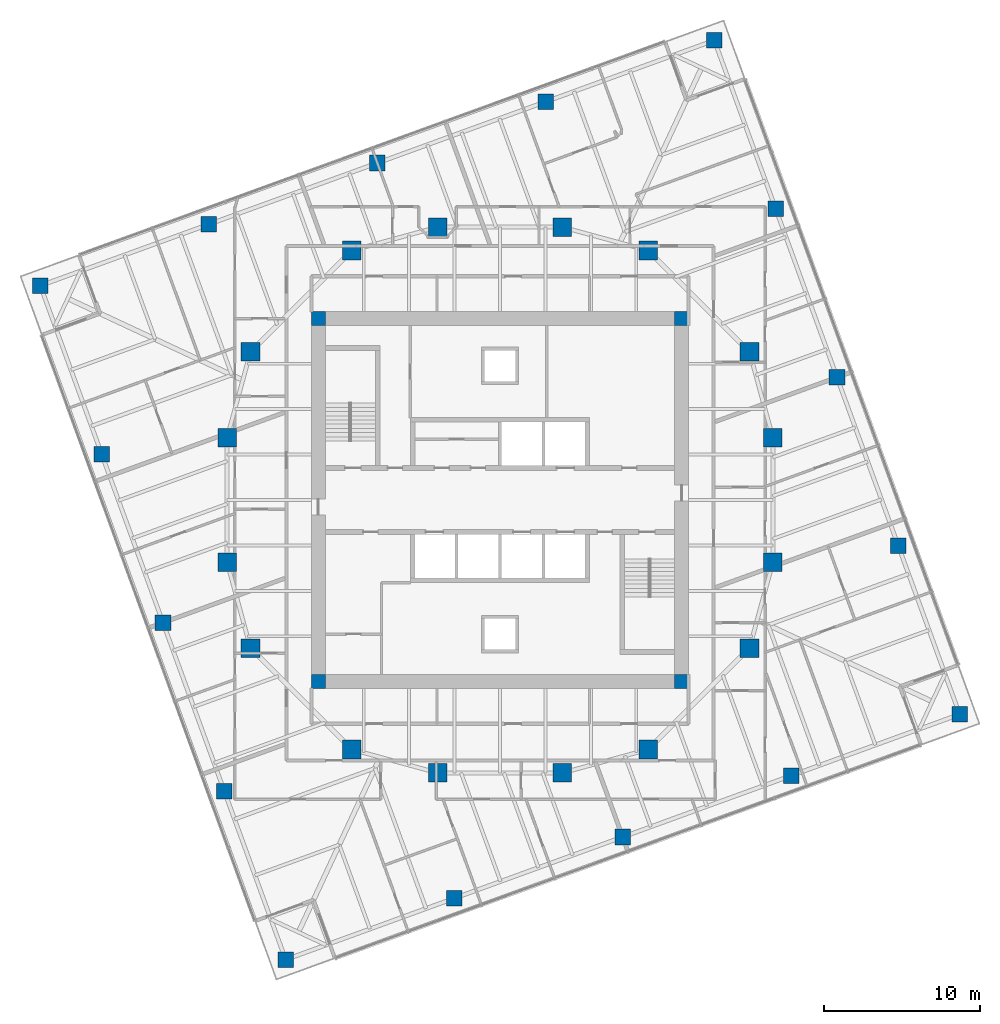
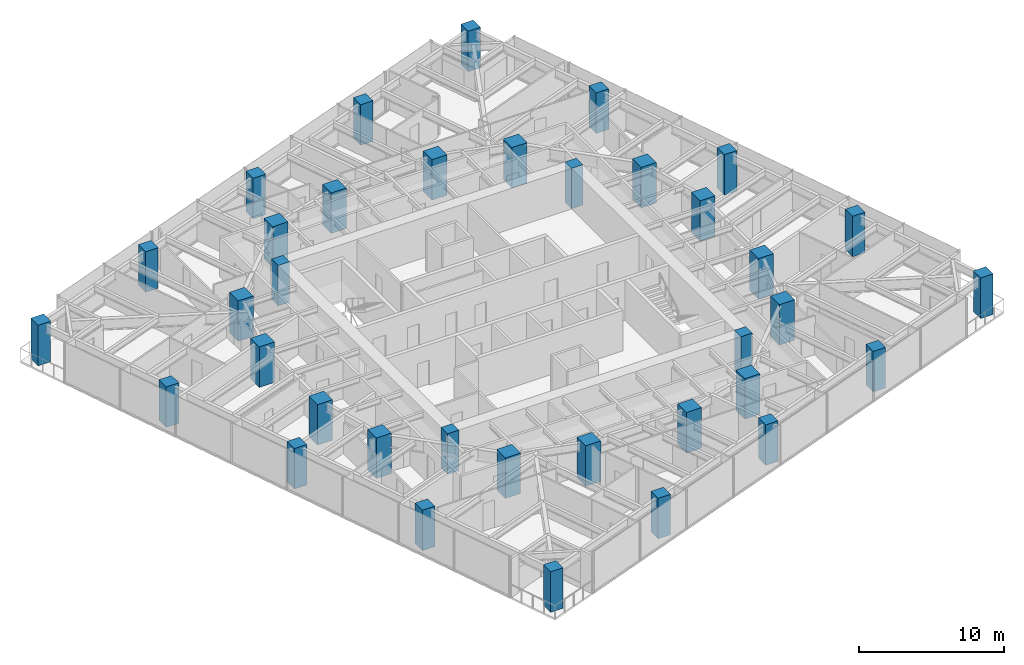
# One storey, part 1 of 13: 36 columns.
"""IFC4 building model written with IfcOpenShell, lengths in metres."""

from ifc_helpers import new_model, si_unit, direction, frame, origin, origin_2d, place, context, subcontext, project, spatial, rectangle, extrude, material, material_profile, profile_set, type_object, element, save


model = new_model("IFC4")

# Units and contexts
model_context = context("Model", 3, precision=1e-05, world=origin(), true_north=direction((0.0, 1.0)))
body_context = subcontext(model_context, "Body", "Model", "MODEL_VIEW")
ifc_project = project(units=[si_unit("LENGTHUNIT", "METRE"), si_unit("AREAUNIT", "SQUARE_METRE"), si_unit("VOLUMEUNIT", "CUBIC_METRE"), si_unit("PLANEANGLEUNIT", "RADIAN"), si_unit("MASSUNIT", "GRAM", prefix="KILO")], contexts=[model_context])

# Site, building, storey
site_placement = place(None, origin())
site = spatial("IfcSite", under=ifc_project, at=site_placement, CompositionType="ELEMENT")
building_placement = place(site_placement, origin())
building = spatial("IfcBuilding", under=site, at=building_placement, Name="Torsade Residences", CompositionType="ELEMENT")
storey_placement = place(building_placement, frame((0.0, 0.0, 150.60009765625)))
storey = spatial("IfcBuildingStorey", under=building, at=storey_placement, Name="L41", CompositionType="ELEMENT", Elevation=150.60009765625)

# Columns
ifc_material_1 = material(Name="Concrete 80 MPa", Category="concrete")
ifc_material_profile_1 = material_profile(ifc_material_1, rectangle(XDim=0.89990234375, YDim=0.89990234375, at=origin_2d()), Name="RC 900x900")
ifc_profile_set_1 = profile_set([ifc_material_profile_1], Name="Concrete 80 MPa")
column_type_1 = type_object("IfcColumnType", Name="CORE CORNER COLUMN RC 900x900", PredefinedType="COLUMN", material=ifc_profile_set_1)
for number, where, z_axis, x_axis, name in (
    (1, (28.35009765625, 18.35009765625, 0.0), (0.0, 0.0, 1.0), (1.0, 0.0, 0.0), "Core corner column CC1 L41"),
    (2, (51.64990234375, 18.35009765625, 0.0), (0.0, 0.0, 1.0), (1.0, 0.0, 0.0), "Core corner column CC2 L41"),
    (3, (51.64990234375, 41.64990234375, 0.0), (0.0, 0.0, 1.0), (1.0, 0.0, 0.0), "Core corner column CC3 L41"),
    (4, (28.35009765625, 41.64990234375, 0.0), (0.0, 0.0, 1.0), (1.0, 0.0, 0.0), "Core corner column CC4 L41"),
):
    element("IfcColumn", number, at=place(storey_placement, frame(where, z_axis=z_axis, x_axis=x_axis)), inside=storey, type_object=column_type_1, Name=name, PredefinedType="COLUMN", context=body_context, shape_type="SweptSolid", body=[
        extrude(rectangle(XDim=0.89990234375, YDim=0.89990234375, at=origin_2d()), origin(), (0.0, 0.0, 1.0), 3.39990234375),
    ])
ifc_material_2 = material(Name="Concrete 80 MPa", Category="concrete")
ifc_material_profile_2 = material_profile(ifc_material_2, rectangle(XDim=1.199951171875, YDim=1.199951171875, at=origin_2d()), Name="RC 1200x1200")
ifc_profile_set_2 = profile_set([ifc_material_profile_2], Name="Concrete 80 MPa")
column_type_2 = type_object("IfcColumnType", Name="INNER RING COLUMN RC 1200x1200", PredefinedType="COLUMN", material=ifc_profile_set_2)
for number, where, z_axis, x_axis, name in (
    (5, (57.5, 26.0, 0.0), (0.0, 0.0, 1.0), (1.0, 0.0, 0.0), "Inner ring column IR01 L41"),
    (6, (57.5, 34.0, 0.0), (0.0, 0.0, 1.0), (1.0, 0.0, 0.0), "Inner ring column IR02 L41"),
    (7, (56.0, 39.5, 0.0), (0.0, 0.0, 1.0), (1.0, 0.0, 0.0), "Inner ring column IR03 L41"),
    (8, (49.5, 46.0, 0.0), (0.0, 0.0, 1.0), (1.0, 0.0, 0.0), "Inner ring column IR04 L41"),
    (9, (44.0, 47.5, 0.0), (0.0, 0.0, 1.0), (1.0, 0.0, 0.0), "Inner ring column IR05 L41"),
    (10, (36.0, 47.5, 0.0), (0.0, 0.0, 1.0), (1.0, 0.0, 0.0), "Inner ring column IR06 L41"),
    (11, (30.5, 46.0, 0.0), (0.0, 0.0, 1.0), (1.0, 0.0, 0.0), "Inner ring column IR07 L41"),
    (12, (24.0, 39.5, 0.0), (0.0, 0.0, 1.0), (1.0, 0.0, 0.0), "Inner ring column IR08 L41"),
    (13, (22.5, 34.0, 0.0), (0.0, 0.0, 1.0), (1.0, 0.0, 0.0), "Inner ring column IR09 L41"),
    (14, (22.5, 26.0, 0.0), (0.0, 0.0, 1.0), (1.0, 0.0, 0.0), "Inner ring column IR10 L41"),
    (15, (24.0, 20.5, 0.0), (0.0, 0.0, 1.0), (1.0, 0.0, 0.0), "Inner ring column IR11 L41"),
    (16, (30.5, 14.0, 0.0), (0.0, 0.0, 1.0), (1.0, 0.0, 0.0), "Inner ring column IR12 L41"),
    (17, (36.0, 12.5, 0.0), (0.0, 0.0, 1.0), (1.0, 0.0, 0.0), "Inner ring column IR13 L41"),
    (18, (44.0, 12.5, 0.0), (0.0, 0.0, 1.0), (1.0, 0.0, 0.0), "Inner ring column IR14 L41"),
    (19, (49.5, 14.0, 0.0), (0.0, 0.0, 1.0), (1.0, 0.0, 0.0), "Inner ring column IR15 L41"),
    (20, (56.0, 20.5, 0.0), (0.0, 0.0, 1.0), (1.0, 0.0, 0.0), "Inner ring column IR16 L41"),
):
    element("IfcColumn", number, at=place(storey_placement, frame(where, z_axis=z_axis, x_axis=x_axis)), inside=storey, type_object=column_type_2, Name=name, PredefinedType="COLUMN", context=body_context, shape_type="SweptSolid", body=[
        extrude(rectangle(XDim=1.199951171875, YDim=1.199951171875, at=origin_2d()), origin(), (0.0, 0.0, 1.0), 3.39990234375),
    ])
ifc_material_3 = material(Name="Concrete 80 MPa", Category="concrete")
ifc_material_profile_3 = material_profile(ifc_material_3, rectangle(XDim=1.0, YDim=1.0, at=origin_2d()), Name="RC 1000x1000")
ifc_profile_set_3 = profile_set([ifc_material_profile_3], Name="Concrete 80 MPa")
column_type_3 = type_object("IfcColumnType", Name="TOWER COLUMN RC 1000x1000", PredefinedType="COLUMN", material=ifc_profile_set_3)
for number, where, z_axis, x_axis, name in (
    (21, (26.25341796875, 0.5205078125, 0.0), (0.0, 0.0, 1.0), (1.0, 0.0, 0.0), "Column TC5-01 L41"),
    (22, (37.06005859375, 4.453857421875, 0.0), (0.0, 0.0, 1.0), (1.0, 0.0, 0.0), "Column TC5-02 L41"),
    (23, (47.866455078125, 8.386962890625, 0.0), (0.0, 0.0, 1.0), (1.0, 0.0, 0.0), "Column TC5-03 L41"),
    (24, (58.6728515625, 12.3203125, 0.0), (0.0, 0.0, 1.0), (1.0, 0.0, 0.0), "Column TC5-04 L41"),
    (25, (69.4794921875, 16.25341796875, 0.0), (0.0, 0.0, 1.0), (1.0, 0.0, 0.0), "Column TC5-05 L41"),
    (26, (65.546142578125, 27.06005859375, 0.0), (0.0, 0.0, 1.0), (1.0, 0.0, 0.0), "Column TC5-06 L41"),
    (27, (61.613037109375, 37.866455078125, 0.0), (0.0, 0.0, 1.0), (1.0, 0.0, 0.0), "Column TC5-07 L41"),
    (28, (57.6796875, 48.6728515625, 0.0), (0.0, 0.0, 1.0), (1.0, 0.0, 0.0), "Column TC5-08 L41"),
    (29, (53.74658203125, 59.4794921875, 0.0), (0.0, 0.0, 1.0), (1.0, 0.0, 0.0), "Column TC5-09 L41"),
    (30, (42.93994140625, 55.546142578125, 0.0), (0.0, 0.0, 1.0), (1.0, 0.0, 0.0), "Column TC5-10 L41"),
    (31, (32.133544921875, 51.613037109375, 0.0), (0.0, 0.0, 1.0), (1.0, 0.0, 0.0), "Column TC5-11 L41"),
    (32, (21.3271484375, 47.6796875, 0.0), (0.0, 0.0, 1.0), (1.0, 0.0, 0.0), "Column TC5-12 L41"),
    (33, (10.5205078125, 43.74658203125, 0.0), (0.0, 0.0, 1.0), (1.0, 0.0, 0.0), "Column TC5-13 L41"),
    (34, (14.453857421875, 32.93994140625, 0.0), (0.0, 0.0, 1.0), (1.0, 0.0, 0.0), "Column TC5-14 L41"),
    (35, (18.386962890625, 22.133544921875, 0.0), (0.0, 0.0, 1.0), (1.0, 0.0, 0.0), "Column TC5-15 L41"),
    (36, (22.3203125, 11.3271484375, 0.0), (0.0, 0.0, 1.0), (1.0, 0.0, 0.0), "Column TC5-16 L41"),
):
    element("IfcColumn", number, at=place(storey_placement, frame(where, z_axis=z_axis, x_axis=x_axis)), inside=storey, type_object=column_type_3, Name=name, PredefinedType="COLUMN", context=body_context, shape_type="SweptSolid", body=[
        extrude(rectangle(XDim=1.0, YDim=1.0, at=origin_2d()), origin(), (0.0, 0.0, 1.0), 3.39990234375),
    ])

save(model, "model.ifc")
